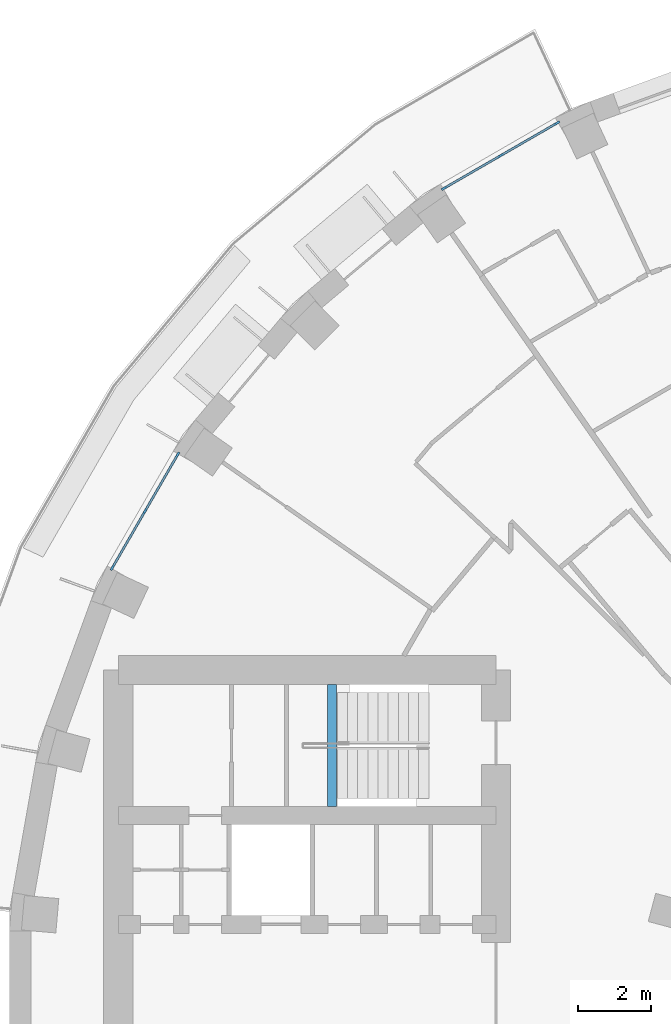
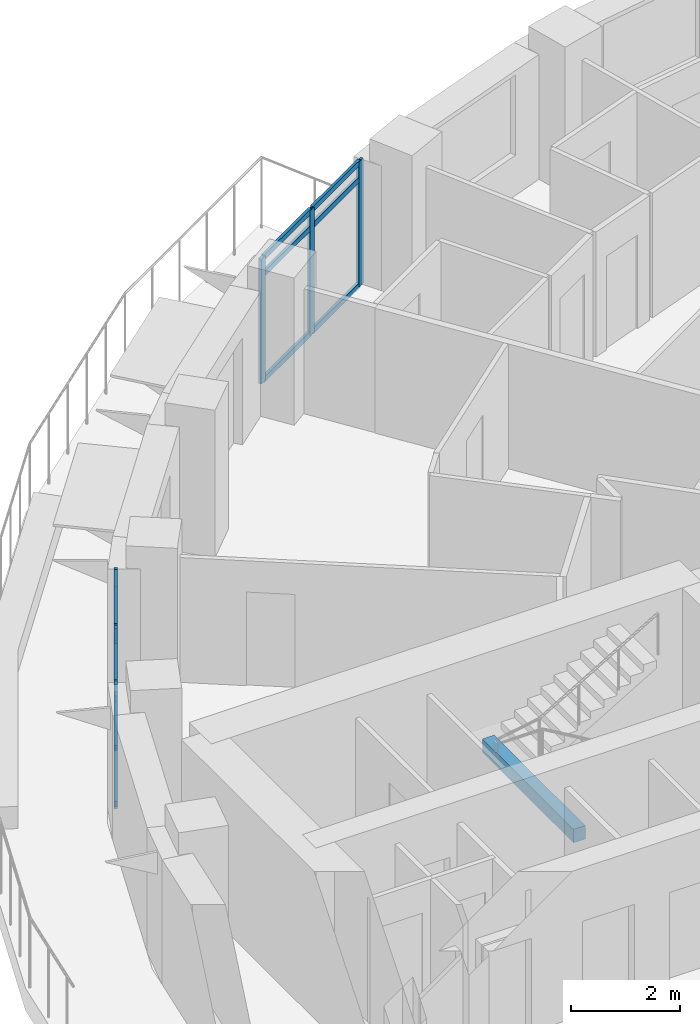
# One storey, part 2 of 14: 18 members, 1 beam, 2 elements without a shape of their own.
"""IFC4 building model written with IfcOpenShell, lengths in metres."""

from ifc_helpers import new_model, si_unit, direction, frame, origin, origin_2d, place, context, subcontext, project, spatial, rectangle, extrude, material, layer, layer_set, material_profile, profile_set, type_object, element, aggregate, save


model = new_model("IFC4")

# Units and contexts
model_context = context("Model", 3, precision=1e-05, world=origin(), true_north=direction((0.0, 1.0)))
body_context = subcontext(model_context, "Body", "Model", "MODEL_VIEW")
ifc_project = project(units=[si_unit("LENGTHUNIT", "METRE"), si_unit("AREAUNIT", "SQUARE_METRE"), si_unit("VOLUMEUNIT", "CUBIC_METRE"), si_unit("PLANEANGLEUNIT", "RADIAN"), si_unit("MASSUNIT", "GRAM", prefix="KILO")], contexts=[model_context])

# Site, building, storey
site_placement = place(None, origin())
site = spatial("IfcSite", under=ifc_project, at=site_placement, CompositionType="ELEMENT")
building_placement = place(site_placement, origin())
building = spatial("IfcBuilding", under=site, at=building_placement, Name="Saqina Gate Tower", CompositionType="ELEMENT")
storey_placement = place(building_placement, frame((0.0, 0.0, 101.800048828125)))
storey = spatial("IfcBuildingStorey", under=building, at=storey_placement, Name="L28", CompositionType="ELEMENT", Elevation=101.800048828125)

# Curtain wall, members
ifc_material_1 = material(Name="Aluminium glazing", Category="aluminium")
ifc_layer = layer(ifc_material_1, 0.159912109375)
ifc_layer_set = layer_set([ifc_layer], Name="CWT-4")
curtain_wall_type = type_object("IfcCurtainWallType", Name="CWT-4", PredefinedType="NOTDEFINED", material=ifc_layer_set)
curtain_wall_1_placement = place(storey_placement, origin())
curtain_wall_1 = element("IfcCurtainWall", 1, at=curtain_wall_1_placement, inside=storey, type_object=curtain_wall_type, Name="Terrace lounge glazing facet 12", PredefinedType="NOTDEFINED")
ifc_material_2 = material(Name="Aluminium", Category="aluminium")
ifc_material_profile_1 = material_profile(ifc_material_2, rectangle(XDim=0.06005859375, YDim=0.159912109375, at=origin_2d()), Name="Aluminium 60x160")
ifc_profile_set_1 = profile_set([ifc_material_profile_1], Name="Aluminium")
member_type_1 = type_object("IfcMemberType", Name="CWT-4M", PredefinedType="MULLION", material=ifc_profile_set_1)
member_1_placement = place(storey_placement, frame((-11.820068359375, 24.060791015625, 0.0), z_axis=(0.0, 0.0, 1.0), x_axis=(0.499998512381, -0.86602626266, 0.0)))
member_1 = element("IfcMember", 2, at=member_1_placement, type_object=member_type_1, Name="CW4-12 mullion 1", PredefinedType="MULLION", context=body_context, shape_type="SweptSolid", body=[
    extrude(rectangle(XDim=0.06005859375, YDim=0.159912109375, at=origin_2d()), origin(), (0.0, 0.0, 1.0), 2.800048828125),
])
member_2_placement = place(storey_placement, frame((-13.37353515625, 23.163818359375, 0.0), z_axis=(0.0, 0.0, 1.0), x_axis=(0.499998512381, -0.86602626266, 0.0)))
member_2 = element("IfcMember", 3, at=member_2_placement, type_object=member_type_1, Name="CW4-12 mullion 2", PredefinedType="MULLION", context=body_context, shape_type="SweptSolid", body=[
    extrude(rectangle(XDim=0.06005859375, YDim=0.159912109375, at=origin_2d()), origin(), (0.0, 0.0, 1.0), 2.800048828125),
])
member_3_placement = place(storey_placement, frame((-14.92724609375, 22.266845703125, 0.0), z_axis=(0.0, 0.0, 1.0), x_axis=(0.499998512381, -0.86602626266, 0.0)))
member_3 = element("IfcMember", 4, at=member_3_placement, type_object=member_type_1, Name="CW4-12 mullion 3", PredefinedType="MULLION", context=body_context, shape_type="SweptSolid", body=[
    extrude(rectangle(XDim=0.06005859375, YDim=0.159912109375, at=origin_2d()), origin(), (0.0, 0.0, 1.0), 2.800048828125),
])

curtain_wall_2_placement = place(storey_placement, origin())
curtain_wall_2 = element("IfcCurtainWall", 5, at=curtain_wall_2_placement, inside=storey, type_object=curtain_wall_type, Name="Terrace lounge glazing facet 15", PredefinedType="NOTDEFINED")
member_4_placement = place(storey_placement, frame((-22.266845703125, 14.92724609375, 0.0), z_axis=(0.0, 0.0, 1.0), x_axis=(0.86602626266, -0.499998512381, 0.0)))
member_4 = element("IfcMember", 6, at=member_4_placement, type_object=member_type_1, Name="CW4-15 mullion 1", PredefinedType="MULLION", context=body_context, shape_type="SweptSolid", body=[
    extrude(rectangle(XDim=0.06005859375, YDim=0.159912109375, at=origin_2d()), origin(), (0.0, 0.0, 1.0), 2.800048828125),
])
member_5_placement = place(storey_placement, frame((-23.163818359375, 13.37353515625, 0.0), z_axis=(0.0, 0.0, 1.0), x_axis=(0.86602626266, -0.499998512381, 0.0)))
member_5 = element("IfcMember", 7, at=member_5_placement, type_object=member_type_1, Name="CW4-15 mullion 2", PredefinedType="MULLION", context=body_context, shape_type="SweptSolid", body=[
    extrude(rectangle(XDim=0.06005859375, YDim=0.159912109375, at=origin_2d()), origin(), (0.0, 0.0, 1.0), 2.800048828125),
])
member_6_placement = place(storey_placement, frame((-24.060791015625, 11.820068359375, 0.0), z_axis=(0.0, 0.0, 1.0), x_axis=(0.86602626266, -0.499998512381, 0.0)))
member_6 = element("IfcMember", 8, at=member_6_placement, type_object=member_type_1, Name="CW4-15 mullion 3", PredefinedType="MULLION", context=body_context, shape_type="SweptSolid", body=[
    extrude(rectangle(XDim=0.06005859375, YDim=0.159912109375, at=origin_2d()), origin(), (0.0, 0.0, 1.0), 2.800048828125),
])

# Member
ifc_material_3 = material(Name="Aluminium", Category="aluminium")
ifc_material_profile_2 = material_profile(ifc_material_3, rectangle(XDim=0.06005859375, YDim=0.1201171875, at=origin_2d()), Name="Aluminium 60x120")
ifc_profile_set_2 = profile_set([ifc_material_profile_2], Name="Aluminium")
member_type_2 = type_object("IfcMemberType", Name="CWT-4T", PredefinedType="USERDEFINED", material=ifc_profile_set_2)
member_7_placement = place(storey_placement, frame((-11.845947265625, 24.0458984375, 0.030029296875), z_axis=(-0.866042565811, -0.49997027332, 0.0), x_axis=(0.49997027332, -0.866042565811, 0.0)))
member_7 = element("IfcMember", 9, at=member_7_placement, type_object=member_type_2, Name="CW4-12 transom 1.1", ObjectType="TRANSOM", PredefinedType="USERDEFINED", context=body_context, shape_type="SweptSolid", body=[
    extrude(rectangle(XDim=0.06005859375, YDim=0.1201171875, at=origin_2d()), origin(), (0.0, 0.0, 1.0), 1.73388671875),
])

member_8_placement = place(storey_placement, frame((-11.845947265625, 24.0458984375, 2.39990234375), z_axis=(-0.866042565811, -0.49997027332, 0.0), x_axis=(0.49997027332, -0.866042565811, 0.0)))
member_8 = element("IfcMember", 10, at=member_8_placement, type_object=member_type_2, Name="CW4-12 transom 1.2", ObjectType="TRANSOM", PredefinedType="USERDEFINED", context=body_context, shape_type="SweptSolid", body=[
    extrude(rectangle(XDim=0.06005859375, YDim=0.1201171875, at=origin_2d()), origin(), (0.0, 0.0, 1.0), 1.73388671875),
])

member_9_placement = place(storey_placement, frame((-11.845947265625, 24.0458984375, 2.77001953125), z_axis=(-0.866042565811, -0.49997027332, 0.0), x_axis=(0.49997027332, -0.866042565811, 0.0)))
member_9 = element("IfcMember", 11, at=member_9_placement, type_object=member_type_2, Name="CW4-12 transom 1.3", ObjectType="TRANSOM", PredefinedType="USERDEFINED", context=body_context, shape_type="SweptSolid", body=[
    extrude(rectangle(XDim=0.06005859375, YDim=0.1201171875, at=origin_2d()), origin(), (0.0, 0.0, 1.0), 1.73388671875),
])

member_10_placement = place(storey_placement, frame((-13.399658203125, 23.14892578125, 0.030029296875), z_axis=(-0.866007364299, -0.500031244004, 0.0), x_axis=(0.500031244004, -0.866007364299, 0.0)))
member_10 = element("IfcMember", 12, at=member_10_placement, type_object=member_type_2, Name="CW4-12 transom 2.1", ObjectType="TRANSOM", PredefinedType="USERDEFINED", context=body_context, shape_type="SweptSolid", body=[
    extrude(rectangle(XDim=0.06005859375, YDim=0.1201171875, at=origin_2d()), origin(), (0.0, 0.0, 1.0), 1.73388671875),
])

member_11_placement = place(storey_placement, frame((-13.399658203125, 23.14892578125, 2.39990234375), z_axis=(-0.866007364299, -0.500031244004, 0.0), x_axis=(0.500031244004, -0.866007364299, 0.0)))
member_11 = element("IfcMember", 13, at=member_11_placement, type_object=member_type_2, Name="CW4-12 transom 2.2", ObjectType="TRANSOM", PredefinedType="USERDEFINED", context=body_context, shape_type="SweptSolid", body=[
    extrude(rectangle(XDim=0.06005859375, YDim=0.1201171875, at=origin_2d()), origin(), (0.0, 0.0, 1.0), 1.73388671875),
])

member_12_placement = place(storey_placement, frame((-13.399658203125, 23.14892578125, 2.77001953125), z_axis=(-0.866007364299, -0.500031244004, 0.0), x_axis=(0.500031244004, -0.866007364299, 0.0)))
member_12 = element("IfcMember", 14, at=member_12_placement, type_object=member_type_2, Name="CW4-12 transom 2.3", ObjectType="TRANSOM", PredefinedType="USERDEFINED", context=body_context, shape_type="SweptSolid", body=[
    extrude(rectangle(XDim=0.06005859375, YDim=0.1201171875, at=origin_2d()), origin(), (0.0, 0.0, 1.0), 1.73388671875),
])

aggregate(curtain_wall_1, [member_1, member_2, member_3, member_7, member_8, member_9, member_10, member_11, member_12])

member_13_placement = place(storey_placement, frame((-22.281982421875, 14.901123046875, 0.030029296875), z_axis=(-0.500031244004, -0.866007364299, 0.0), x_axis=(0.866007364299, -0.500031244004, 0.0)))
member_13 = element("IfcMember", 15, at=member_13_placement, type_object=member_type_2, Name="CW4-15 transom 1.1", ObjectType="TRANSOM", PredefinedType="USERDEFINED", context=body_context, shape_type="SweptSolid", body=[
    extrude(rectangle(XDim=0.06005859375, YDim=0.1201171875, at=origin_2d()), origin(), (0.0, 0.0, 1.0), 1.73388671875),
])

member_14_placement = place(storey_placement, frame((-22.281982421875, 14.901123046875, 2.39990234375), z_axis=(-0.500031244004, -0.866007364299, 0.0), x_axis=(0.866007364299, -0.500031244004, 0.0)))
member_14 = element("IfcMember", 16, at=member_14_placement, type_object=member_type_2, Name="CW4-15 transom 1.2", ObjectType="TRANSOM", PredefinedType="USERDEFINED", context=body_context, shape_type="SweptSolid", body=[
    extrude(rectangle(XDim=0.06005859375, YDim=0.1201171875, at=origin_2d()), origin(), (0.0, 0.0, 1.0), 1.73388671875),
])

member_15_placement = place(storey_placement, frame((-22.281982421875, 14.901123046875, 2.77001953125), z_axis=(-0.500031244004, -0.866007364299, 0.0), x_axis=(0.866007364299, -0.500031244004, 0.0)))
member_15 = element("IfcMember", 17, at=member_15_placement, type_object=member_type_2, Name="CW4-15 transom 1.3", ObjectType="TRANSOM", PredefinedType="USERDEFINED", context=body_context, shape_type="SweptSolid", body=[
    extrude(rectangle(XDim=0.06005859375, YDim=0.1201171875, at=origin_2d()), origin(), (0.0, 0.0, 1.0), 1.73388671875),
])

member_16_placement = place(storey_placement, frame((-23.178955078125, 13.34765625, 0.030029296875), z_axis=(-0.49997027332, -0.866042565811, 0.0), x_axis=(0.866042565811, -0.49997027332, 0.0)))
member_16 = element("IfcMember", 18, at=member_16_placement, type_object=member_type_2, Name="CW4-15 transom 2.1", ObjectType="TRANSOM", PredefinedType="USERDEFINED", context=body_context, shape_type="SweptSolid", body=[
    extrude(rectangle(XDim=0.06005859375, YDim=0.1201171875, at=origin_2d()), origin(), (0.0, 0.0, 1.0), 1.73388671875),
])

member_17_placement = place(storey_placement, frame((-23.178955078125, 13.34765625, 2.39990234375), z_axis=(-0.49997027332, -0.866042565811, 0.0), x_axis=(0.866042565811, -0.49997027332, 0.0)))
member_17 = element("IfcMember", 19, at=member_17_placement, type_object=member_type_2, Name="CW4-15 transom 2.2", ObjectType="TRANSOM", PredefinedType="USERDEFINED", context=body_context, shape_type="SweptSolid", body=[
    extrude(rectangle(XDim=0.06005859375, YDim=0.1201171875, at=origin_2d()), origin(), (0.0, 0.0, 1.0), 1.73388671875),
])

member_18_placement = place(storey_placement, frame((-23.178955078125, 13.34765625, 2.77001953125), z_axis=(-0.49997027332, -0.866042565811, 0.0), x_axis=(0.866042565811, -0.49997027332, 0.0)))
member_18 = element("IfcMember", 20, at=member_18_placement, type_object=member_type_2, Name="CW4-15 transom 2.3", ObjectType="TRANSOM", PredefinedType="USERDEFINED", context=body_context, shape_type="SweptSolid", body=[
    extrude(rectangle(XDim=0.06005859375, YDim=0.1201171875, at=origin_2d()), origin(), (0.0, 0.0, 1.0), 1.73388671875),
])

aggregate(curtain_wall_2, [member_4, member_5, member_6, member_13, member_14, member_15, member_16, member_17, member_18])

# Beam
ifc_material_4 = material(Name="Concrete C40/50", Category="concrete")
ifc_material_profile_3 = material_profile(ifc_material_4, rectangle(XDim=0.25, YDim=0.300048828125, at=origin_2d()), Name="STAIR LANDING BEAM")
ifc_profile_set_3 = profile_set([ifc_material_profile_3], Name="Concrete C40/50")
beam_type = type_object("IfcBeamType", Name="STAIR LANDING BEAM", PredefinedType="BEAM", material=ifc_profile_set_3)
beam_placement = place(storey_placement, frame((-18.02001953125, 5.25, 1.25), z_axis=(0.0, 1.0, 0.0), x_axis=(-1.0, 0.0, 0.0)))
element("IfcBeam", 21, at=beam_placement, inside=storey, type_object=beam_type, Name="EXIT STAIR 3 LANDING BEAM", PredefinedType="BEAM", context=body_context, shape_type="SweptSolid", body=[
    extrude(rectangle(XDim=0.25, YDim=0.300048828125, at=origin_2d()), origin(), (0.0, 0.0, 1.0), 3.35009765625),
])

save(model, "model.ifc")
